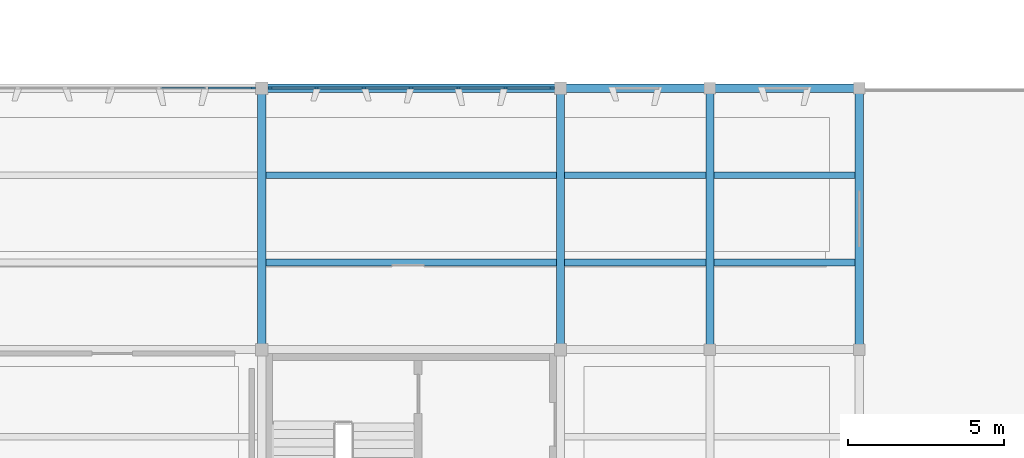
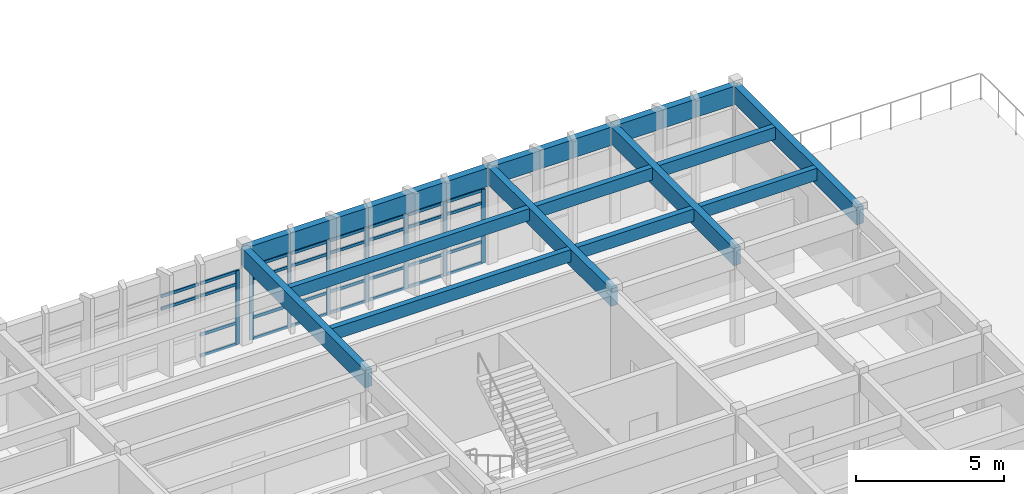
# One storey, part 12 of 42: 38 members, 13 beams, 2 elements without a shape of their own.
"""IFC4 building model written with IfcOpenShell, lengths in metres."""

from ifc_helpers import new_model, si_unit, direction, frame, origin, origin_2d, place, context, subcontext, project, spatial, rectangle, extrude, material, layer, layer_set, material_profile, profile_set, type_object, element, aggregate, save


model = new_model("IFC4")

# Units and contexts
model_context = context("Model", 3, precision=1e-05, world=origin(), true_north=direction((0.0, 1.0)))
body_context = subcontext(model_context, "Body", "Model", "MODEL_VIEW")
ifc_project = project(units=[si_unit("LENGTHUNIT", "METRE"), si_unit("AREAUNIT", "SQUARE_METRE"), si_unit("VOLUMEUNIT", "CUBIC_METRE"), si_unit("PLANEANGLEUNIT", "RADIAN"), si_unit("MASSUNIT", "GRAM", prefix="KILO")], contexts=[model_context])

# Site, building, storey
site_placement = place(None, origin())
site = spatial("IfcSite", under=ifc_project, at=site_placement, CompositionType="ELEMENT")
building_placement = place(site_placement, origin())
building = spatial("IfcBuilding", under=site, at=building_placement, Name="Kolvemor Railside Polytechnic", CompositionType="ELEMENT")
storey_placement = place(building_placement, frame((0.0, 0.0, 14.39990234375)))
storey = spatial("IfcBuildingStorey", under=building, at=storey_placement, Name="L03", CompositionType="ELEMENT", Elevation=14.39990234375)

# Beams
ifc_material_1 = material(Name="Glulam GL28h", Category="wood")
ifc_material_profile_1 = material_profile(ifc_material_1, rectangle(XDim=0.264892578125, YDim=0.760009765625, at=origin_2d()), Name="GL265x760")
ifc_profile_set_1 = profile_set([ifc_material_profile_1], Name="Glulam GL28h")
beam_type_1 = type_object("IfcBeamType", Name="BM-GL-GIRD1", PredefinedType="BEAM", material=ifc_profile_set_1)
beam_placement = place(storey_placement, frame((105.60009765625, 38.39990234375, 3.570068359375), z_axis=(1.0, 0.0, 0.0), x_axis=(0.0, 1.0, 0.0)))
element("IfcBeam", 1, at=beam_placement, inside=storey, type_object=beam_type_1, Name="Primary Girder L04-GX 1409", PredefinedType="BEAM", context=body_context, shape_type="SweptSolid", body=[
    extrude(rectangle(XDim=0.264892578125, YDim=0.760009765625, at=origin_2d()), origin(), (0.0, 0.0, 1.0), 9.599853515625),
])
for number, where, z_axis, x_axis, name in (
    (2, (115.199951171875, 38.39990234375, 3.570068359375), (1.0, 0.0, 0.0), (0.0, 1.0, 0.0), "Primary Girder L04-GX 1410"),
    (3, (120.0, 38.39990234375, 3.570068359375), (1.0, 0.0, 0.0), (0.0, 1.0, 0.0), "Primary Girder L04-GX 1411"),
):
    element("IfcBeam", number, at=place(storey_placement, frame(where, z_axis=z_axis, x_axis=x_axis)), inside=storey, type_object=beam_type_1, Name=name, PredefinedType="BEAM", context=body_context, shape_type="SweptSolid", body=[
        extrude(rectangle(XDim=0.264892578125, YDim=0.760009765625, at=origin_2d()), origin(), (0.0, 0.0, 1.0), 4.800048828125),
    ])
ifc_material_2 = material(Name="Glulam GL28h", Category="wood")
ifc_material_profile_2 = material_profile(ifc_material_2, rectangle(XDim=0.264892578125, YDim=0.719970703125, at=origin_2d()), Name="GL265x720")
ifc_profile_set_2 = profile_set([ifc_material_profile_2], Name="Glulam GL28h")
beam_type_2 = type_object("IfcBeamType", Name="BM-GL-GIRD4", PredefinedType="BEAM", material=ifc_profile_set_2)
for number, where, z_axis, x_axis, name in (
    (4, (105.60009765625, 30.0, 3.590087890625), (0.0, 1.0, 0.0), (-1.0, 0.0, 0.0), "Primary Girder L04-GY 1439"),
    (5, (115.199951171875, 30.0, 3.590087890625), (0.0, 1.0, 0.0), (-1.0, 0.0, 0.0), "Primary Girder L04-GY 1443"),
    (6, (120.0, 30.0, 3.590087890625), (0.0, 1.0, 0.0), (-1.0, 0.0, 0.0), "Primary Girder L04-GY 1447"),
    (7, (124.800048828125, 30.0, 3.590087890625), (0.0, 1.0, 0.0), (-1.0, 0.0, 0.0), "Primary Girder L04-GY 1451"),
):
    element("IfcBeam", number, at=place(storey_placement, frame(where, z_axis=z_axis, x_axis=x_axis)), inside=storey, type_object=beam_type_2, Name=name, PredefinedType="BEAM", context=body_context, shape_type="SweptSolid", body=[
        extrude(rectangle(XDim=0.264892578125, YDim=0.719970703125, at=origin_2d()), origin(), (0.0, 0.0, 1.0), 8.39990234375),
    ])
ifc_material_3 = material(Name="Glulam GL28h", Category="wood")
ifc_material_profile_3 = material_profile(ifc_material_3, rectangle(XDim=0.215087890625, YDim=0.5, at=origin_2d()), Name="GL215x500")
ifc_profile_set_3 = profile_set([ifc_material_profile_3], Name="Glulam GL28h")
beam_type_3 = type_object("IfcBeamType", Name="BM-GL-JST3", PredefinedType="JOIST", material=ifc_profile_set_3)
for number, where, z_axis, x_axis, name in (
    (8, (105.73291015625, 32.800048828125, 3.7001953125), (1.0, 0.0, 0.0), (0.0, 1.0, 0.0), "Floor Joist L04-J1500"),
    (9, (105.73291015625, 35.60009765625, 3.7001953125), (1.0, 0.0, 0.0), (0.0, 1.0, 0.0), "Floor Joist L04-J1501"),
):
    element("IfcBeam", number, at=place(storey_placement, frame(where, z_axis=z_axis, x_axis=x_axis)), inside=storey, type_object=beam_type_3, Name=name, PredefinedType="JOIST", context=body_context, shape_type="SweptSolid", body=[
        extrude(rectangle(XDim=0.215087890625, YDim=0.5, at=origin_2d()), origin(), (0.0, 0.0, 1.0), 9.333984375),
    ])
for number, where, z_axis, x_axis, name in (
    (10, (115.3330078125, 32.800048828125, 3.7001953125), (1.0, 0.0, 0.0), (0.0, 1.0, 0.0), "Floor Joist L04-J1508"),
    (11, (115.3330078125, 35.60009765625, 3.7001953125), (1.0, 0.0, 0.0), (0.0, 1.0, 0.0), "Floor Joist L04-J1509"),
    (12, (120.133056640625, 32.800048828125, 3.7001953125), (1.0, 0.0, 0.0), (0.0, 1.0, 0.0), "Floor Joist L04-J1516"),
    (13, (120.133056640625, 35.60009765625, 3.7001953125), (1.0, 0.0, 0.0), (0.0, 1.0, 0.0), "Floor Joist L04-J1517"),
):
    element("IfcBeam", number, at=place(storey_placement, frame(where, z_axis=z_axis, x_axis=x_axis)), inside=storey, type_object=beam_type_3, Name=name, PredefinedType="JOIST", context=body_context, shape_type="SweptSolid", body=[
        extrude(rectangle(XDim=0.215087890625, YDim=0.5, at=origin_2d()), origin(), (0.0, 0.0, 1.0), 4.533935546875),
    ])

# Curtain wall, member
ifc_material_4 = material(Name="Anodised marine aluminium and laminated low-E glass", Category="aluminium")
ifc_layer = layer(ifc_material_4, 0.179931640625, Name="CW-UNIT-STD")
ifc_layer_set = layer_set([ifc_layer], Name="Anodised marine aluminium and laminated low-E glass")
curtain_wall_type = type_object("IfcCurtainWallType", Name="CW-UNIT-STD", PredefinedType="USERDEFINED", material=ifc_layer_set)
curtain_wall_1_placement = place(storey_placement, origin())
curtain_wall_1 = element("IfcCurtainWall", 14, at=curtain_wall_1_placement, inside=storey, type_object=curtain_wall_type, Name="Curtain Wall L03-129", ObjectType="UNITISED CURTAIN WALL", PredefinedType="USERDEFINED")
ifc_material_5 = material(Name="Anodised marine aluminium 6063-T6", Category="aluminium")
ifc_material_profile_4 = material_profile(ifc_material_5, rectangle(XDim=0.06494140625, YDim=0.14990234375, at=origin_2d()), Name="CW-MUL-65x150")
ifc_profile_set_4 = profile_set([ifc_material_profile_4], Name="Anodised marine aluminium 6063-T6")
member_type_1 = type_object("IfcMemberType", Name="CWM-65x150", PredefinedType="MULLION", material=ifc_profile_set_4)
member_1_placement = place(storey_placement, frame((105.327392578125, 38.39990234375, 0.0), z_axis=(0.0, 0.0, 1.0), x_axis=(0.0, -1.0, 0.0)))
member_1 = element("IfcMember", 15, at=member_1_placement, type_object=member_type_1, Name="CW-STD mullion 1", PredefinedType="MULLION", context=body_context, shape_type="SweptSolid", body=[
    extrude(rectangle(XDim=0.06494140625, YDim=0.14990234375, at=origin_2d()), origin(), (0.0, 0.0, 1.0), 3.050048828125),
])

# Curtain wall, members
curtain_wall_2_placement = place(storey_placement, origin())
curtain_wall_2 = element("IfcCurtainWall", 16, at=curtain_wall_2_placement, inside=storey, type_object=curtain_wall_type, Name="Curtain Wall L03-130", ObjectType="UNITISED CURTAIN WALL", PredefinedType="USERDEFINED")
member_2_placement = place(storey_placement, frame((114.927490234375, 38.39990234375, 0.0), z_axis=(0.0, 0.0, 1.0), x_axis=(0.0, -1.0, 0.0)))
member_2 = element("IfcMember", 17, at=member_2_placement, type_object=member_type_1, Name="CW-STD mullion 1", PredefinedType="MULLION", context=body_context, shape_type="SweptSolid", body=[
    extrude(rectangle(XDim=0.06494140625, YDim=0.14990234375, at=origin_2d()), origin(), (0.0, 0.0, 1.0), 3.050048828125),
])
member_3_placement = place(storey_placement, frame((113.43994140625, 38.39990234375, 0.0), z_axis=(0.0, 0.0, 1.0), x_axis=(0.0, -1.0, 0.0)))
member_3 = element("IfcMember", 18, at=member_3_placement, type_object=member_type_1, Name="CW-STD mullion 2", PredefinedType="MULLION", context=body_context, shape_type="SweptSolid", body=[
    extrude(rectangle(XDim=0.06494140625, YDim=0.14990234375, at=origin_2d()), origin(), (0.0, 0.0, 1.0), 3.050048828125),
])
member_4_placement = place(storey_placement, frame((111.919921875, 38.39990234375, 0.0), z_axis=(0.0, 0.0, 1.0), x_axis=(0.0, -1.0, 0.0)))
member_4 = element("IfcMember", 19, at=member_4_placement, type_object=member_type_1, Name="CW-STD mullion 3", PredefinedType="MULLION", context=body_context, shape_type="SweptSolid", body=[
    extrude(rectangle(XDim=0.06494140625, YDim=0.14990234375, at=origin_2d()), origin(), (0.0, 0.0, 1.0), 3.050048828125),
])
member_5_placement = place(storey_placement, frame((110.39990234375, 38.39990234375, 0.0), z_axis=(0.0, 0.0, 1.0), x_axis=(0.0, -1.0, 0.0)))
member_5 = element("IfcMember", 20, at=member_5_placement, type_object=member_type_1, Name="CW-STD mullion 4", PredefinedType="MULLION", context=body_context, shape_type="SweptSolid", body=[
    extrude(rectangle(XDim=0.06494140625, YDim=0.14990234375, at=origin_2d()), origin(), (0.0, 0.0, 1.0), 3.050048828125),
])
member_6_placement = place(storey_placement, frame((108.8798828125, 38.39990234375, 0.0), z_axis=(0.0, 0.0, 1.0), x_axis=(0.0, -1.0, 0.0)))
member_6 = element("IfcMember", 21, at=member_6_placement, type_object=member_type_1, Name="CW-STD mullion 5", PredefinedType="MULLION", context=body_context, shape_type="SweptSolid", body=[
    extrude(rectangle(XDim=0.06494140625, YDim=0.14990234375, at=origin_2d()), origin(), (0.0, 0.0, 1.0), 3.050048828125),
])
member_7_placement = place(storey_placement, frame((107.360107421875, 38.39990234375, 0.0), z_axis=(0.0, 0.0, 1.0), x_axis=(0.0, -1.0, 0.0)))
member_7 = element("IfcMember", 22, at=member_7_placement, type_object=member_type_1, Name="CW-STD mullion 6", PredefinedType="MULLION", context=body_context, shape_type="SweptSolid", body=[
    extrude(rectangle(XDim=0.06494140625, YDim=0.14990234375, at=origin_2d()), origin(), (0.0, 0.0, 1.0), 3.050048828125),
])
member_8_placement = place(storey_placement, frame((105.87255859375, 38.39990234375, 0.0), z_axis=(0.0, 0.0, 1.0), x_axis=(0.0, -1.0, 0.0)))
member_8 = element("IfcMember", 23, at=member_8_placement, type_object=member_type_1, Name="CW-STD mullion 7", PredefinedType="MULLION", context=body_context, shape_type="SweptSolid", body=[
    extrude(rectangle(XDim=0.06494140625, YDim=0.14990234375, at=origin_2d()), origin(), (0.0, 0.0, 1.0), 3.050048828125),
])

# Member
ifc_material_6 = material(Name="Anodised marine aluminium 6063-T6", Category="aluminium")
ifc_material_profile_5 = material_profile(ifc_material_6, rectangle(XDim=0.06494140625, YDim=0.1201171875, at=origin_2d()), Name="CW-TRN-65x120")
ifc_profile_set_5 = profile_set([ifc_material_profile_5], Name="Anodised marine aluminium 6063-T6")
member_type_2 = type_object("IfcMemberType", Name="CWT-65x120", PredefinedType="USERDEFINED", material=ifc_profile_set_5)
member_9_placement = place(storey_placement, frame((105.294921875, 38.39990234375, 0.03271484375), z_axis=(-1.0, 0.0, 0.0), x_axis=(0.0, -1.0, 0.0)))
member_9 = element("IfcMember", 24, at=member_9_placement, type_object=member_type_2, Name="CW-STD transom 1.1", ObjectType="TRANSOM", PredefinedType="USERDEFINED", context=body_context, shape_type="SweptSolid", body=[
    extrude(rectangle(XDim=0.06494140625, YDim=0.1201171875, at=origin_2d()), origin(), (0.0, 0.0, 1.0), 1.42236328125),
])

member_10_placement = place(storey_placement, frame((105.294921875, 38.39990234375, 0.900146484375), z_axis=(-1.0, 0.0, 0.0), x_axis=(0.0, -1.0, 0.0)))
member_10 = element("IfcMember", 25, at=member_10_placement, type_object=member_type_2, Name="CW-STD transom 1.2", ObjectType="TRANSOM", PredefinedType="USERDEFINED", context=body_context, shape_type="SweptSolid", body=[
    extrude(rectangle(XDim=0.06494140625, YDim=0.1201171875, at=origin_2d()), origin(), (0.0, 0.0, 1.0), 1.42236328125),
])

member_11_placement = place(storey_placement, frame((105.294921875, 38.39990234375, 2.5), z_axis=(-1.0, 0.0, 0.0), x_axis=(0.0, -1.0, 0.0)))
member_11 = element("IfcMember", 26, at=member_11_placement, type_object=member_type_2, Name="CW-STD transom 1.3", ObjectType="TRANSOM", PredefinedType="USERDEFINED", context=body_context, shape_type="SweptSolid", body=[
    extrude(rectangle(XDim=0.06494140625, YDim=0.1201171875, at=origin_2d()), origin(), (0.0, 0.0, 1.0), 1.42236328125),
])

member_12_placement = place(storey_placement, frame((105.294921875, 38.39990234375, 3.017578125), z_axis=(-1.0, 0.0, 0.0), x_axis=(0.0, -1.0, 0.0)))
member_12 = element("IfcMember", 27, at=member_12_placement, type_object=member_type_2, Name="CW-STD transom 1.4", ObjectType="TRANSOM", PredefinedType="USERDEFINED", context=body_context, shape_type="SweptSolid", body=[
    extrude(rectangle(XDim=0.06494140625, YDim=0.1201171875, at=origin_2d()), origin(), (0.0, 0.0, 1.0), 1.42236328125),
])

member_13_placement = place(storey_placement, frame((103.8076171875, 38.39990234375, 2.5), z_axis=(-1.0, 0.0, 0.0), x_axis=(0.0, -1.0, 0.0)))
member_13 = element("IfcMember", 28, at=member_13_placement, type_object=member_type_2, Name="CW-STD transom 2.3", ObjectType="TRANSOM", PredefinedType="USERDEFINED", context=body_context, shape_type="SweptSolid", body=[
    extrude(rectangle(XDim=0.06494140625, YDim=0.1201171875, at=origin_2d()), origin(), (0.0, 0.0, 1.0), 1.455078125),
])

member_14_placement = place(storey_placement, frame((103.8076171875, 38.39990234375, 3.017578125), z_axis=(-1.0, 0.0, 0.0), x_axis=(0.0, -1.0, 0.0)))
member_14 = element("IfcMember", 29, at=member_14_placement, type_object=member_type_2, Name="CW-STD transom 2.4", ObjectType="TRANSOM", PredefinedType="USERDEFINED", context=body_context, shape_type="SweptSolid", body=[
    extrude(rectangle(XDim=0.06494140625, YDim=0.1201171875, at=origin_2d()), origin(), (0.0, 0.0, 1.0), 1.455078125),
])

aggregate(curtain_wall_1, [member_1, member_9, member_10, member_11, member_12, member_13, member_14])

member_15_placement = place(storey_placement, frame((114.89501953125, 38.39990234375, 0.03271484375), z_axis=(-1.0, 0.0, 0.0), x_axis=(0.0, -1.0, 0.0)))
member_15 = element("IfcMember", 30, at=member_15_placement, type_object=member_type_2, Name="CW-STD transom 1.1", ObjectType="TRANSOM", PredefinedType="USERDEFINED", context=body_context, shape_type="SweptSolid", body=[
    extrude(rectangle(XDim=0.06494140625, YDim=0.1201171875, at=origin_2d()), origin(), (0.0, 0.0, 1.0), 1.422607421875),
])

member_16_placement = place(storey_placement, frame((114.89501953125, 38.39990234375, 0.900146484375), z_axis=(-1.0, 0.0, 0.0), x_axis=(0.0, -1.0, 0.0)))
member_16 = element("IfcMember", 31, at=member_16_placement, type_object=member_type_2, Name="CW-STD transom 1.2", ObjectType="TRANSOM", PredefinedType="USERDEFINED", context=body_context, shape_type="SweptSolid", body=[
    extrude(rectangle(XDim=0.06494140625, YDim=0.1201171875, at=origin_2d()), origin(), (0.0, 0.0, 1.0), 1.422607421875),
])

member_17_placement = place(storey_placement, frame((114.89501953125, 38.39990234375, 2.5), z_axis=(-1.0, 0.0, 0.0), x_axis=(0.0, -1.0, 0.0)))
member_17 = element("IfcMember", 32, at=member_17_placement, type_object=member_type_2, Name="CW-STD transom 1.3", ObjectType="TRANSOM", PredefinedType="USERDEFINED", context=body_context, shape_type="SweptSolid", body=[
    extrude(rectangle(XDim=0.06494140625, YDim=0.1201171875, at=origin_2d()), origin(), (0.0, 0.0, 1.0), 1.422607421875),
])

member_18_placement = place(storey_placement, frame((114.89501953125, 38.39990234375, 3.017578125), z_axis=(-1.0, 0.0, 0.0), x_axis=(0.0, -1.0, 0.0)))
member_18 = element("IfcMember", 33, at=member_18_placement, type_object=member_type_2, Name="CW-STD transom 1.4", ObjectType="TRANSOM", PredefinedType="USERDEFINED", context=body_context, shape_type="SweptSolid", body=[
    extrude(rectangle(XDim=0.06494140625, YDim=0.1201171875, at=origin_2d()), origin(), (0.0, 0.0, 1.0), 1.422607421875),
])

member_19_placement = place(storey_placement, frame((113.407470703125, 38.39990234375, 0.03271484375), z_axis=(-1.0, 0.0, 0.0), x_axis=(0.0, -1.0, 0.0)))
member_19 = element("IfcMember", 34, at=member_19_placement, type_object=member_type_2, Name="CW-STD transom 2.1", ObjectType="TRANSOM", PredefinedType="USERDEFINED", context=body_context, shape_type="SweptSolid", body=[
    extrude(rectangle(XDim=0.06494140625, YDim=0.1201171875, at=origin_2d()), origin(), (0.0, 0.0, 1.0), 1.455078125),
])

member_20_placement = place(storey_placement, frame((113.407470703125, 38.39990234375, 0.900146484375), z_axis=(-1.0, 0.0, 0.0), x_axis=(0.0, -1.0, 0.0)))
member_20 = element("IfcMember", 35, at=member_20_placement, type_object=member_type_2, Name="CW-STD transom 2.2", ObjectType="TRANSOM", PredefinedType="USERDEFINED", context=body_context, shape_type="SweptSolid", body=[
    extrude(rectangle(XDim=0.06494140625, YDim=0.1201171875, at=origin_2d()), origin(), (0.0, 0.0, 1.0), 1.455078125),
])

member_21_placement = place(storey_placement, frame((113.407470703125, 38.39990234375, 2.5), z_axis=(-1.0, 0.0, 0.0), x_axis=(0.0, -1.0, 0.0)))
member_21 = element("IfcMember", 36, at=member_21_placement, type_object=member_type_2, Name="CW-STD transom 2.3", ObjectType="TRANSOM", PredefinedType="USERDEFINED", context=body_context, shape_type="SweptSolid", body=[
    extrude(rectangle(XDim=0.06494140625, YDim=0.1201171875, at=origin_2d()), origin(), (0.0, 0.0, 1.0), 1.455078125),
])

member_22_placement = place(storey_placement, frame((113.407470703125, 38.39990234375, 3.017578125), z_axis=(-1.0, 0.0, 0.0), x_axis=(0.0, -1.0, 0.0)))
member_22 = element("IfcMember", 37, at=member_22_placement, type_object=member_type_2, Name="CW-STD transom 2.4", ObjectType="TRANSOM", PredefinedType="USERDEFINED", context=body_context, shape_type="SweptSolid", body=[
    extrude(rectangle(XDim=0.06494140625, YDim=0.1201171875, at=origin_2d()), origin(), (0.0, 0.0, 1.0), 1.455078125),
])

member_23_placement = place(storey_placement, frame((111.887451171875, 38.39990234375, 0.03271484375), z_axis=(-1.0, 0.0, 0.0), x_axis=(0.0, -1.0, 0.0)))
member_23 = element("IfcMember", 38, at=member_23_placement, type_object=member_type_2, Name="CW-STD transom 3.1", ObjectType="TRANSOM", PredefinedType="USERDEFINED", context=body_context, shape_type="SweptSolid", body=[
    extrude(rectangle(XDim=0.06494140625, YDim=0.1201171875, at=origin_2d()), origin(), (0.0, 0.0, 1.0), 1.454833984375),
])

member_24_placement = place(storey_placement, frame((111.887451171875, 38.39990234375, 0.900146484375), z_axis=(-1.0, 0.0, 0.0), x_axis=(0.0, -1.0, 0.0)))
member_24 = element("IfcMember", 39, at=member_24_placement, type_object=member_type_2, Name="CW-STD transom 3.2", ObjectType="TRANSOM", PredefinedType="USERDEFINED", context=body_context, shape_type="SweptSolid", body=[
    extrude(rectangle(XDim=0.06494140625, YDim=0.1201171875, at=origin_2d()), origin(), (0.0, 0.0, 1.0), 1.454833984375),
])

member_25_placement = place(storey_placement, frame((111.887451171875, 38.39990234375, 2.5), z_axis=(-1.0, 0.0, 0.0), x_axis=(0.0, -1.0, 0.0)))
member_25 = element("IfcMember", 40, at=member_25_placement, type_object=member_type_2, Name="CW-STD transom 3.3", ObjectType="TRANSOM", PredefinedType="USERDEFINED", context=body_context, shape_type="SweptSolid", body=[
    extrude(rectangle(XDim=0.06494140625, YDim=0.1201171875, at=origin_2d()), origin(), (0.0, 0.0, 1.0), 1.454833984375),
])

member_26_placement = place(storey_placement, frame((111.887451171875, 38.39990234375, 3.017578125), z_axis=(-1.0, 0.0, 0.0), x_axis=(0.0, -1.0, 0.0)))
member_26 = element("IfcMember", 41, at=member_26_placement, type_object=member_type_2, Name="CW-STD transom 3.4", ObjectType="TRANSOM", PredefinedType="USERDEFINED", context=body_context, shape_type="SweptSolid", body=[
    extrude(rectangle(XDim=0.06494140625, YDim=0.1201171875, at=origin_2d()), origin(), (0.0, 0.0, 1.0), 1.454833984375),
])

member_27_placement = place(storey_placement, frame((110.367431640625, 38.39990234375, 0.03271484375), z_axis=(-1.0, 0.0, 0.0), x_axis=(0.0, -1.0, 0.0)))
member_27 = element("IfcMember", 42, at=member_27_placement, type_object=member_type_2, Name="CW-STD transom 4.1", ObjectType="TRANSOM", PredefinedType="USERDEFINED", context=body_context, shape_type="SweptSolid", body=[
    extrude(rectangle(XDim=0.06494140625, YDim=0.1201171875, at=origin_2d()), origin(), (0.0, 0.0, 1.0), 1.454833984375),
])

member_28_placement = place(storey_placement, frame((110.367431640625, 38.39990234375, 0.900146484375), z_axis=(-1.0, 0.0, 0.0), x_axis=(0.0, -1.0, 0.0)))
member_28 = element("IfcMember", 43, at=member_28_placement, type_object=member_type_2, Name="CW-STD transom 4.2", ObjectType="TRANSOM", PredefinedType="USERDEFINED", context=body_context, shape_type="SweptSolid", body=[
    extrude(rectangle(XDim=0.06494140625, YDim=0.1201171875, at=origin_2d()), origin(), (0.0, 0.0, 1.0), 1.454833984375),
])

member_29_placement = place(storey_placement, frame((110.367431640625, 38.39990234375, 2.5), z_axis=(-1.0, 0.0, 0.0), x_axis=(0.0, -1.0, 0.0)))
member_29 = element("IfcMember", 44, at=member_29_placement, type_object=member_type_2, Name="CW-STD transom 4.3", ObjectType="TRANSOM", PredefinedType="USERDEFINED", context=body_context, shape_type="SweptSolid", body=[
    extrude(rectangle(XDim=0.06494140625, YDim=0.1201171875, at=origin_2d()), origin(), (0.0, 0.0, 1.0), 1.454833984375),
])

member_30_placement = place(storey_placement, frame((110.367431640625, 38.39990234375, 3.017578125), z_axis=(-1.0, 0.0, 0.0), x_axis=(0.0, -1.0, 0.0)))
member_30 = element("IfcMember", 45, at=member_30_placement, type_object=member_type_2, Name="CW-STD transom 4.4", ObjectType="TRANSOM", PredefinedType="USERDEFINED", context=body_context, shape_type="SweptSolid", body=[
    extrude(rectangle(XDim=0.06494140625, YDim=0.1201171875, at=origin_2d()), origin(), (0.0, 0.0, 1.0), 1.454833984375),
])

member_31_placement = place(storey_placement, frame((108.847412109375, 38.39990234375, 0.03271484375), z_axis=(-1.0, 0.0, 0.0), x_axis=(0.0, -1.0, 0.0)))
member_31 = element("IfcMember", 46, at=member_31_placement, type_object=member_type_2, Name="CW-STD transom 5.1", ObjectType="TRANSOM", PredefinedType="USERDEFINED", context=body_context, shape_type="SweptSolid", body=[
    extrude(rectangle(XDim=0.06494140625, YDim=0.1201171875, at=origin_2d()), origin(), (0.0, 0.0, 1.0), 1.454833984375),
])

member_32_placement = place(storey_placement, frame((108.847412109375, 38.39990234375, 0.900146484375), z_axis=(-1.0, 0.0, 0.0), x_axis=(0.0, -1.0, 0.0)))
member_32 = element("IfcMember", 47, at=member_32_placement, type_object=member_type_2, Name="CW-STD transom 5.2", ObjectType="TRANSOM", PredefinedType="USERDEFINED", context=body_context, shape_type="SweptSolid", body=[
    extrude(rectangle(XDim=0.06494140625, YDim=0.1201171875, at=origin_2d()), origin(), (0.0, 0.0, 1.0), 1.454833984375),
])

member_33_placement = place(storey_placement, frame((108.847412109375, 38.39990234375, 2.5), z_axis=(-1.0, 0.0, 0.0), x_axis=(0.0, -1.0, 0.0)))
member_33 = element("IfcMember", 48, at=member_33_placement, type_object=member_type_2, Name="CW-STD transom 5.3", ObjectType="TRANSOM", PredefinedType="USERDEFINED", context=body_context, shape_type="SweptSolid", body=[
    extrude(rectangle(XDim=0.06494140625, YDim=0.1201171875, at=origin_2d()), origin(), (0.0, 0.0, 1.0), 1.454833984375),
])

member_34_placement = place(storey_placement, frame((108.847412109375, 38.39990234375, 3.017578125), z_axis=(-1.0, 0.0, 0.0), x_axis=(0.0, -1.0, 0.0)))
member_34 = element("IfcMember", 49, at=member_34_placement, type_object=member_type_2, Name="CW-STD transom 5.4", ObjectType="TRANSOM", PredefinedType="USERDEFINED", context=body_context, shape_type="SweptSolid", body=[
    extrude(rectangle(XDim=0.06494140625, YDim=0.1201171875, at=origin_2d()), origin(), (0.0, 0.0, 1.0), 1.454833984375),
])

member_35_placement = place(storey_placement, frame((107.327392578125, 38.39990234375, 0.03271484375), z_axis=(-1.0, 0.0, 0.0), x_axis=(0.0, -1.0, 0.0)))
member_35 = element("IfcMember", 50, at=member_35_placement, type_object=member_type_2, Name="CW-STD transom 6.1", ObjectType="TRANSOM", PredefinedType="USERDEFINED", context=body_context, shape_type="SweptSolid", body=[
    extrude(rectangle(XDim=0.06494140625, YDim=0.1201171875, at=origin_2d()), origin(), (0.0, 0.0, 1.0), 1.42236328125),
])

member_36_placement = place(storey_placement, frame((107.327392578125, 38.39990234375, 0.900146484375), z_axis=(-1.0, 0.0, 0.0), x_axis=(0.0, -1.0, 0.0)))
member_36 = element("IfcMember", 51, at=member_36_placement, type_object=member_type_2, Name="CW-STD transom 6.2", ObjectType="TRANSOM", PredefinedType="USERDEFINED", context=body_context, shape_type="SweptSolid", body=[
    extrude(rectangle(XDim=0.06494140625, YDim=0.1201171875, at=origin_2d()), origin(), (0.0, 0.0, 1.0), 1.42236328125),
])

member_37_placement = place(storey_placement, frame((107.327392578125, 38.39990234375, 2.5), z_axis=(-1.0, 0.0, 0.0), x_axis=(0.0, -1.0, 0.0)))
member_37 = element("IfcMember", 52, at=member_37_placement, type_object=member_type_2, Name="CW-STD transom 6.3", ObjectType="TRANSOM", PredefinedType="USERDEFINED", context=body_context, shape_type="SweptSolid", body=[
    extrude(rectangle(XDim=0.06494140625, YDim=0.1201171875, at=origin_2d()), origin(), (0.0, 0.0, 1.0), 1.42236328125),
])

member_38_placement = place(storey_placement, frame((107.327392578125, 38.39990234375, 3.017578125), z_axis=(-1.0, 0.0, 0.0), x_axis=(0.0, -1.0, 0.0)))
member_38 = element("IfcMember", 53, at=member_38_placement, type_object=member_type_2, Name="CW-STD transom 6.4", ObjectType="TRANSOM", PredefinedType="USERDEFINED", context=body_context, shape_type="SweptSolid", body=[
    extrude(rectangle(XDim=0.06494140625, YDim=0.1201171875, at=origin_2d()), origin(), (0.0, 0.0, 1.0), 1.42236328125),
])

aggregate(curtain_wall_2, [member_2, member_3, member_4, member_5, member_6, member_7, member_8, member_15, member_16, member_17, member_18, member_19, member_20, member_21, member_22, member_23, member_24, member_25, member_26, member_27, member_28, member_29, member_30, member_31, member_32, member_33, member_34, member_35, member_36, member_37, member_38])

save(model, "model.ifc")
